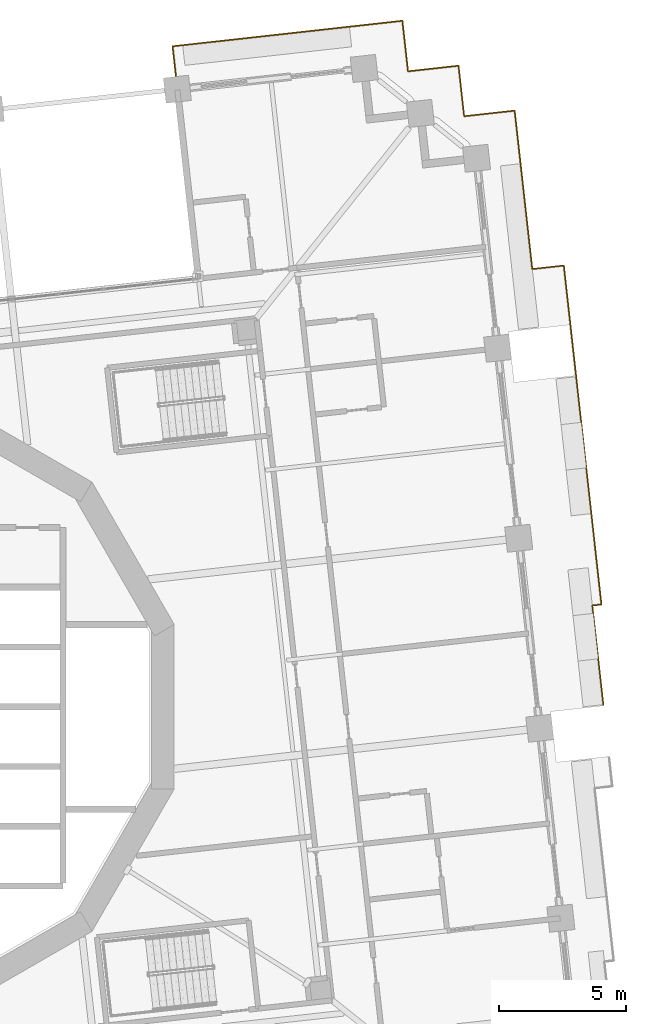
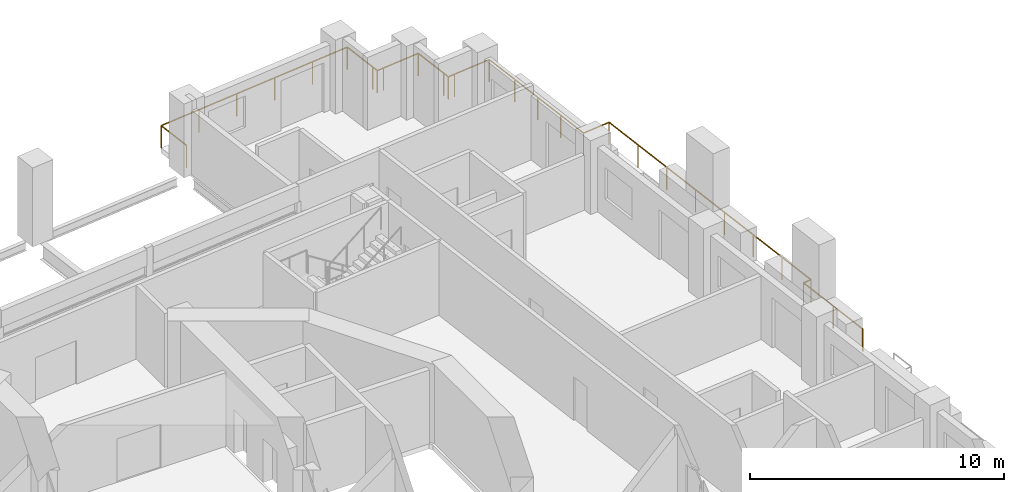
# One storey, part 19 of 20: 1 railing.
"""IFC4 building model written with IfcOpenShell, lengths in metres."""

import ifcopenshell
import ifcopenshell.guid

model = None  # the IFC model being written
_history = None  # IfcOwnerHistory: only IFC2X3 demands one
_inside = {}  # id of a spatial element -> (the spatial element, [elements in it])
_under = {}  # id of a project, library or spatial element -> (it, [spatial elements below it])
_declared = {}  # id of a project -> (the project, [libraries it declares])
_typed = {}  # id of a type object -> (the type object, [elements of that type])
_made_of = {}  # id of a material, layer set ... -> (it, [elements and type objects made of it])


def new_model(schema):
    """Start an empty IFC model of exactly this schema.

    Asked for "IFC4X3", IfcOpenShell would pick the latest addendum, in which some entities
    have other attributes; the version numbers below select the first issue.
    IFC2X3 requires an IfcOwnerHistory on every rooted entity: one is made here for all.
    """
    global model, _history
    if schema == "IFC4X3":
        model = ifcopenshell.file(schema_version=(4, 3, 0, 0))
    else:
        model = ifcopenshell.file(schema=schema)
    _inside.clear()
    _under.clear()
    _declared.clear()
    _typed.clear()
    _made_of.clear()
    _history = None
    if model.schema == "IFC2X3":
        org = make("IfcOrganization", Name="unknown")
        user = make(
            "IfcPersonAndOrganization",
            ThePerson=make("IfcPerson", FamilyName="unknown"),
            TheOrganization=org,
        )
        app = make(
            "IfcApplication",
            ApplicationDeveloper=org,
            Version="unknown",
            ApplicationFullName="unknown",
            ApplicationIdentifier="unknown",
        )
        _history = make(
            "IfcOwnerHistory",
            OwningUser=user,
            OwningApplication=app,
            ChangeAction="ADDED",
            CreationDate=0,
        )
    return model


def make(cls, **values):
    """One entity of the class cls with the attributes given. An attribute that is None is left unset."""
    return model.create_entity(
        cls, **{name: value for name, value in values.items() if value is not None}
    )


def rooted(cls, **values):
    """An entity with a GlobalId (a new one), such as an element, a storey or a relation."""
    return make(cls, GlobalId=ifcopenshell.guid.new(), OwnerHistory=_history, **values)


def si_unit(unit_type, name, prefix=None):
    """IfcSIUnit, for example si_unit("LENGTHUNIT", "METRE", prefix="MILLI")."""
    return make("IfcSIUnit", UnitType=unit_type, Prefix=prefix, Name=name)


def assignment(units):
    """IfcUnitAssignment: the units of a project."""
    return None if units is None else make("IfcUnitAssignment", Units=units)


def point(xyz):
    """IfcCartesianPoint."""
    return None if xyz is None else make("IfcCartesianPoint", Coordinates=xyz)


def direction(xyz):
    """IfcDirection."""
    return None if xyz is None else make("IfcDirection", DirectionRatios=xyz)


def frame(location, z_axis=None, x_axis=None):
    """IfcAxis2Placement3D, a coordinate frame: its origin and axes. An axis left out is left unset."""
    return make(
        "IfcAxis2Placement3D",
        Location=point(location),
        Axis=direction(z_axis),
        RefDirection=direction(x_axis),
    )


def frame_2d(location, x_axis=None):
    """IfcAxis2Placement2D, a coordinate frame in the plane: its origin and x axis."""
    return make(
        "IfcAxis2Placement2D", Location=point(location), RefDirection=direction(x_axis)
    )


def origin():
    """The frame at (0, 0, 0) with its axes left unset."""
    return frame((0.0, 0.0, 0.0))


def origin_2d():
    """The frame at (0, 0) in the plane with its x axis left unset."""
    return frame_2d((0.0, 0.0))


def place(relative_to, where):
    """IfcLocalPlacement: puts the frame where relative to a parent placement (None: the world)."""
    return make(
        "IfcLocalPlacement", PlacementRelTo=relative_to, RelativePlacement=where
    )


def context(
    kind, dimensions, precision=None, world=None, true_north=None, identifier=None
):
    """IfcGeometricRepresentationContext, for example the 3D "Model" context."""
    return make(
        "IfcGeometricRepresentationContext",
        ContextIdentifier=identifier,
        ContextType=kind,
        CoordinateSpaceDimension=dimensions,
        Precision=precision,
        WorldCoordinateSystem=world,
        TrueNorth=true_north,
    )


def subcontext(parent, identifier, kind, view, scale=None):
    """IfcGeometricRepresentationSubContext, for example "Body" below "Model"."""
    return make(
        "IfcGeometricRepresentationSubContext",
        ContextIdentifier=identifier,
        ContextType=kind,
        ParentContext=parent,
        TargetScale=scale,
        TargetView=view,
    )


def project(units=None, contexts=None):
    """IfcProject with its units and contexts."""
    return rooted(
        "IfcProject",
        Name="project",
        RepresentationContexts=contexts,
        UnitsInContext=assignment(units),
    )


def spatial(cls, under=None, at=None, **own):
    """A site, building, storey or space (cls), placed at a placement, below another one or the project."""
    s = rooted(cls, ObjectPlacement=at, **own)
    if under is not None:
        _under.setdefault(under.id(), (under, []))[1].append(s)
    return s


def profile(cls, at=None, kind="AREA", **sizes):
    """A parametric profile (cls). Its sizes go by their IFC names, for example OverallWidth=200.0."""
    return make(cls, ProfileType=kind, Position=at, **sizes)


def circle(**sizes):
    """IfcCircleProfileDef."""
    return profile("IfcCircleProfileDef", **sizes)


def extrude(swept, where, along, depth):
    """IfcExtrudedAreaSolid: the profile swept, set in the frame where, extruded along a direction by depth."""
    return make(
        "IfcExtrudedAreaSolid",
        SweptArea=swept,
        Position=where,
        ExtrudedDirection=direction(along),
        Depth=depth,
    )


def shape(context_of_items, identifier, shape_type, items):
    """IfcShapeRepresentation: the items that make up one representation, for example the "Body"."""
    return make(
        "IfcShapeRepresentation",
        ContextOfItems=context_of_items,
        RepresentationIdentifier=identifier,
        RepresentationType=shape_type,
        Items=items,
    )


def material(Name=None, Category=None):
    """IfcMaterial."""
    return make("IfcMaterial", Name=Name, Category=Category)


def made_of(thing, what):
    """Note that an element or type object is made of a material, layer set ...; save() writes the relation."""
    if what is not None:
        _made_of.setdefault(what.id(), (what, []))[1].append(thing)
    return thing


def type_object(cls, material=None, **own):
    """A type object (cls), such as IfcWallType, which elements share."""
    return made_of(rooted(cls, **own), material)


def element(
    cls,
    number,
    at=None,
    inside=None,
    cuts=None,
    type_object=None,
    material=None,
    context=None,
    identifier="Body",
    shape_type=None,
    held_by="IfcProductDefinitionShape",
    body=None,
    shapes=None,
    **own,
):
    """One element of the class cls, such as IfcWall. Its Tag is "e" and its number.

    at: its placement. inside: the storey or other place that contains it. cuts: it is an
    opening in that element (IfcRelVoidsElement). A single representation is given by context,
    identifier, shape_type and body (its items); several are given by shapes. held_by: the class
    of the entity that holds the representations. save() writes the other relations.
    """
    e = rooted(cls, Tag="e%d" % number, ObjectPlacement=at, **own)
    if body is not None:
        shapes = [shape(context, identifier, shape_type, body)]
    if shapes is not None:
        e.Representation = make(held_by, Representations=shapes)
    if inside is not None:
        _inside.setdefault(inside.id(), (inside, []))[1].append(e)
    if cuts is not None:
        rooted(
            "IfcRelVoidsElement", RelatingBuildingElement=cuts, RelatedOpeningElement=e
        )
    if type_object is not None:
        _typed.setdefault(type_object.id(), (type_object, []))[1].append(e)
    return made_of(e, material)


def aggregate(whole, parts):
    """IfcRelAggregates: a whole, such as a stair, and the parts it consists of."""
    return rooted("IfcRelAggregates", RelatingObject=whole, RelatedObjects=parts)


def save(model, path):
    """Write the relations noted so far, then the file.

    IfcRelAggregates (storeys below a building ...), IfcRelContainedInSpatialStructure (elements
    in a storey), IfcRelDefinesByType, IfcRelAssociatesMaterial and IfcRelDeclares: one each for
    every whole, place, type object, material and project.
    """
    for whole, parts in _under.values():
        aggregate(whole, parts)
    for where, things in _inside.values():
        rooted(
            "IfcRelContainedInSpatialStructure",
            RelatedElements=things,
            RelatingStructure=where,
        )
    for kind, things in _typed.values():
        rooted("IfcRelDefinesByType", RelatedObjects=things, RelatingType=kind)
    for what, things in _made_of.values():
        rooted("IfcRelAssociatesMaterial", RelatedObjects=things, RelatingMaterial=what)
    for by, libraries in _declared.values():
        rooted("IfcRelDeclares", RelatingContext=by, RelatedDefinitions=libraries)
    model.write(path)


model = new_model("IFC4")

# Units and contexts
model_context = context("Model", 3, precision=1e-05, world=origin(), true_north=direction((0.0, 1.0)))
body_context = subcontext(model_context, "Body", "Model", "MODEL_VIEW")
ifc_project = project(units=[si_unit("LENGTHUNIT", "METRE"), si_unit("AREAUNIT", "SQUARE_METRE"), si_unit("VOLUMEUNIT", "CUBIC_METRE"), si_unit("PLANEANGLEUNIT", "RADIAN"), si_unit("MASSUNIT", "GRAM", prefix="KILO")], contexts=[model_context])

# Site, building, storey
site_placement = place(None, origin())
site = spatial("IfcSite", under=ifc_project, at=site_placement, CompositionType="ELEMENT")
building_placement = place(site_placement, origin())
building = spatial("IfcBuilding", under=site, at=building_placement, Name="Cantera Rosa Tower", CompositionType="ELEMENT")
storey_placement = place(building_placement, frame((0.0, 0.0, 46.300048828125)))
storey = spatial("IfcBuildingStorey", under=building, at=storey_placement, Name="L08", CompositionType="ELEMENT", Elevation=46.300048828125)

# Railing
ifc_material = material(Name="Stainless steel and laminated glass", Category="steel")
railing_type = type_object("IfcRailingType", Name="GUARD 1100", PredefinedType="BALUSTRADE", material=ifc_material)
railing_placement = place(storey_placement, frame((12.1923828125, 24.313232421875, 0.0)))
element("IfcRailing", 1, at=railing_placement, inside=storey, type_object=railing_type, Name="GUARD L08-9", PredefinedType="BALUSTRADE", context=body_context, shape_type="SweptSolid", body=[
    extrude(circle(Radius=0.030029296875, at=origin_2d()), frame((0.0, 0.0, 1.070068359375), z_axis=(-0.11028798999, 0.993899672635, 0.0), x_axis=(-0.993899672635, -0.11028798999, 0.0)), (0.0, 0.0, 1.0), 1.68017578125),
    extrude(circle(Radius=0.030029296875, at=origin_2d()), frame((-0.185302734375, 1.669921875, 1.070068359375), z_axis=(0.993899014355, 0.110293922157, 0.0), x_axis=(-0.110293922157, 0.993899014355, 0.0)), (0.0, 0.0, 1.0), 7.39990234375),
    extrude(circle(Radius=0.030029296875, at=origin_2d()), frame((7.16943359375, 2.486083984375, 1.070068359375), z_axis=(0.993883734674, 0.110431526075, 0.0), x_axis=(-0.110431526075, 0.993883734674, 0.0)), (0.0, 0.0, 1.0), 1.7001953125),
    extrude(circle(Radius=0.030029296875, at=origin_2d()), frame((8.859130859375, 2.673828125, 1.070068359375), z_axis=(0.110289669906, -0.993899486222, 0.0), x_axis=(0.993899486222, 0.110289669906, 0.0)), (0.0, 0.0, 1.0), 1.699951171875),
    extrude(circle(Radius=0.030029296875, at=origin_2d()), frame((9.046630859375, 0.984130859375, 1.070068359375), z_axis=(0.110699535641, -0.99385391925, 0.0), x_axis=(0.99385391925, 0.110699535641, 0.0)), (0.0, 0.0, 1.0), 0.300048828125),
    extrude(circle(Radius=0.030029296875, at=origin_2d()), frame((9.079833984375, 0.68603515625, 1.070068359375), z_axis=(0.993943154022, 0.10989543472, 0.0), x_axis=(-0.10989543472, 0.993943154022, 0.0)), (0.0, 0.0, 1.0), 0.2998046875),
    extrude(circle(Radius=0.030029296875, at=origin_2d()), frame((9.3779296875, 0.718994140625, 1.070068359375), z_axis=(0.993899486222, 0.110289669906, 0.0), x_axis=(-0.110289669906, 0.993899486222, 0.0)), (0.0, 0.0, 1.0), 1.699951171875),
    extrude(circle(Radius=0.030029296875, at=origin_2d()), frame((11.067626953125, 0.906494140625, 1.070068359375), z_axis=(0.110305413813, -0.993897739047, 0.0), x_axis=(0.993897739047, 0.110305413813, 0.0)), (0.0, 0.0, 1.0), 1.69970703125),
    extrude(circle(Radius=0.030029296875, at=origin_2d()), frame((11.255126953125, -0.782958984375, 1.070068359375), z_axis=(0.1098065887, -0.993952973273, 0.0), x_axis=(0.993952973273, 0.1098065887, 0.0)), (0.0, 0.0, 1.0), 0.300048828125),
    extrude(circle(Radius=0.030029296875, at=origin_2d()), frame((11.2880859375, -1.081298828125, 1.070068359375), z_axis=(0.993863881828, 0.110610055588, 0.0), x_axis=(-0.110610055588, 0.993863881828, 0.0)), (0.0, 0.0, 1.0), 0.30029296875),
    extrude(circle(Radius=0.030029296875, at=origin_2d()), frame((11.58642578125, -1.048095703125, 1.070068359375), z_axis=(0.993897739047, 0.110305413813, 0.0), x_axis=(-0.110305413813, 0.993897739047, 0.0)), (0.0, 0.0, 1.0), 1.69970703125),
    extrude(circle(Radius=0.030029296875, at=origin_2d()), frame((13.27587890625, -0.860595703125, 1.070068359375), z_axis=(0.110289669906, -0.993899486222, 0.0), x_axis=(0.993899486222, 0.110289669906, 0.0)), (0.0, 0.0, 1.0), 1.699951171875),
    extrude(circle(Radius=0.030029296875, at=origin_2d()), frame((13.46337890625, -2.55029296875, 1.070068359375), z_axis=(0.110355311719, -0.993892199977, 0.0), x_axis=(0.993892199977, 0.110355311719, 0.0)), (0.0, 0.0, 1.0), 4.570556640625),
    extrude(circle(Radius=0.030029296875, at=origin_2d()), frame((13.9677734375, -7.093017578125, 1.070068359375), z_axis=(0.993886117565, 0.110410077944, 0.0), x_axis=(-0.110410077944, 0.993886117565, 0.0)), (0.0, 0.0, 1.0), 1.249267578125),
    extrude(circle(Radius=0.030029296875, at=origin_2d()), frame((15.20947265625, -6.955078125, 1.070068359375), z_axis=(0.110309714757, -0.993897261708, 0.0), x_axis=(0.993897261708, 0.110309714757, 0.0)), (0.0, 0.0, 1.0), 13.418701171875),
    extrude(circle(Radius=0.030029296875, at=origin_2d()), frame((16.689697265625, -20.2919921875, 1.070068359375), z_axis=(-0.993859025053, -0.110653686428, 0.0), x_axis=(0.110653686428, -0.993859025053, 0.0)), (0.0, 0.0, 1.0), 0.36181640625),
    extrude(circle(Radius=0.030029296875, at=origin_2d()), frame((16.330078125, -20.33203125, 1.070068359375), z_axis=(0.11028192342, -0.993900345793, 0.0), x_axis=(0.993900345793, 0.11028192342, 0.0)), (0.0, 0.0, 1.0), 3.9404296875),
    extrude(circle(Radius=0.02490234375, at=origin_2d()), origin(), (0.0, 0.0, 1.0), 1.0400390625),
    extrude(circle(Radius=0.02490234375, at=origin_2d()), frame((-0.185302734375, 1.669921875, 0.0)), (0.0, 0.0, 1.0), 1.0400390625),
    extrude(circle(Radius=0.02490234375, at=origin_2d()), frame((1.6533203125, 1.8740234375, 0.0)), (0.0, 0.0, 1.0), 1.0400390625),
    extrude(circle(Radius=0.02490234375, at=origin_2d()), frame((3.4921875, 2.078125, 0.0)), (0.0, 0.0, 1.0), 1.0400390625),
    extrude(circle(Radius=0.02490234375, at=origin_2d()), frame((5.330810546875, 2.281982421875, 0.0)), (0.0, 0.0, 1.0), 1.0400390625),
    extrude(circle(Radius=0.02490234375, at=origin_2d()), frame((7.16943359375, 2.486083984375, 0.0)), (0.0, 0.0, 1.0), 1.0400390625),
    extrude(circle(Radius=0.02490234375, at=origin_2d()), frame((8.859130859375, 2.673828125, 0.0)), (0.0, 0.0, 1.0), 1.0400390625),
    extrude(circle(Radius=0.02490234375, at=origin_2d()), frame((9.046630859375, 0.984130859375, 0.0)), (0.0, 0.0, 1.0), 1.0400390625),
    extrude(circle(Radius=0.02490234375, at=origin_2d()), frame((9.079833984375, 0.68603515625, 0.0)), (0.0, 0.0, 1.0), 1.0400390625),
    extrude(circle(Radius=0.02490234375, at=origin_2d()), frame((9.3779296875, 0.718994140625, 0.0)), (0.0, 0.0, 1.0), 1.0400390625),
    extrude(circle(Radius=0.02490234375, at=origin_2d()), frame((11.067626953125, 0.906494140625, 0.0)), (0.0, 0.0, 1.0), 1.0400390625),
    extrude(circle(Radius=0.02490234375, at=origin_2d()), frame((11.255126953125, -0.782958984375, 0.0)), (0.0, 0.0, 1.0), 1.0400390625),
    extrude(circle(Radius=0.02490234375, at=origin_2d()), frame((11.2880859375, -1.081298828125, 0.0)), (0.0, 0.0, 1.0), 1.0400390625),
    extrude(circle(Radius=0.02490234375, at=origin_2d()), frame((11.58642578125, -1.048095703125, 0.0)), (0.0, 0.0, 1.0), 1.0400390625),
    extrude(circle(Radius=0.02490234375, at=origin_2d()), frame((13.27587890625, -0.860595703125, 0.0)), (0.0, 0.0, 1.0), 1.0400390625),
    extrude(circle(Radius=0.02490234375, at=origin_2d()), frame((13.46337890625, -2.55029296875, 0.0)), (0.0, 0.0, 1.0), 1.0400390625),
    extrude(circle(Radius=0.02490234375, at=origin_2d()), frame((13.631591796875, -4.064453125, 0.0)), (0.0, 0.0, 1.0), 1.0400390625),
    extrude(circle(Radius=0.02490234375, at=origin_2d()), frame((13.799560546875, -5.578857421875, 0.0)), (0.0, 0.0, 1.0), 1.0400390625),
    extrude(circle(Radius=0.02490234375, at=origin_2d()), frame((13.9677734375, -7.093017578125, 0.0)), (0.0, 0.0, 1.0), 1.0400390625),
    extrude(circle(Radius=0.02490234375, at=origin_2d()), frame((15.20947265625, -6.955078125, 0.0)), (0.0, 0.0, 1.0), 1.0400390625),
    extrude(circle(Radius=0.02490234375, at=origin_2d()), frame((15.4208984375, -8.8603515625, 0.0)), (0.0, 0.0, 1.0), 1.0400390625),
    extrude(circle(Radius=0.02490234375, at=origin_2d()), frame((15.63232421875, -10.765625, 0.0)), (0.0, 0.0, 1.0), 1.0400390625),
    extrude(circle(Radius=0.02490234375, at=origin_2d()), frame((15.84375, -12.6708984375, 0.0)), (0.0, 0.0, 1.0), 1.0400390625),
    extrude(circle(Radius=0.02490234375, at=origin_2d()), frame((16.055419921875, -14.576171875, 0.0)), (0.0, 0.0, 1.0), 1.0400390625),
    extrude(circle(Radius=0.02490234375, at=origin_2d()), frame((16.266845703125, -16.4814453125, 0.0)), (0.0, 0.0, 1.0), 1.0400390625),
    extrude(circle(Radius=0.02490234375, at=origin_2d()), frame((16.478271484375, -18.38671875, 0.0)), (0.0, 0.0, 1.0), 1.0400390625),
    extrude(circle(Radius=0.02490234375, at=origin_2d()), frame((16.689697265625, -20.2919921875, 0.0)), (0.0, 0.0, 1.0), 1.0400390625),
    extrude(circle(Radius=0.02490234375, at=origin_2d()), frame((16.330078125, -20.33203125, 0.0)), (0.0, 0.0, 1.0), 1.0400390625),
    extrude(circle(Radius=0.02490234375, at=origin_2d()), frame((16.54736328125, -22.290283203125, 0.0)), (0.0, 0.0, 1.0), 1.0400390625),
    extrude(circle(Radius=0.02490234375, at=origin_2d()), frame((16.7646484375, -24.24853515625, 0.0)), (0.0, 0.0, 1.0), 1.0400390625),
])

save(model, "model.ifc")
